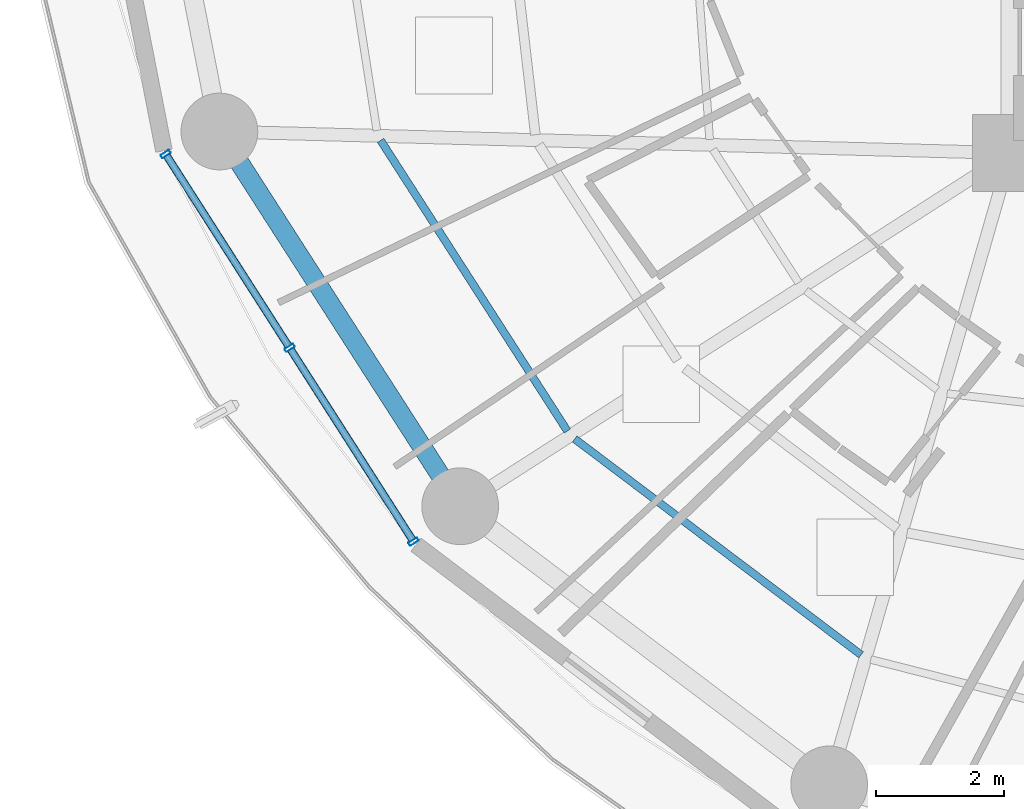
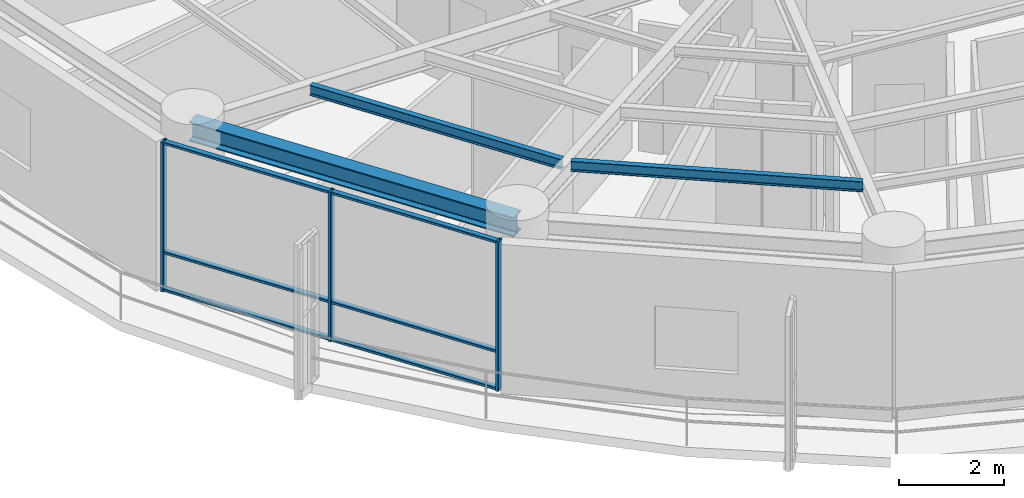
# One storey, part 2 of 27: 9 members, 3 beams, 1 element without a shape of its own.
"""IFC4 building model written with IfcOpenShell, lengths in metres."""

from ifc_helpers import new_model, si_unit, direction, frame, origin, origin_2d, place, context, subcontext, project, spatial, hollow_rectangle, i_section, extrude, material, layer, layer_set, material_profile, profile_set, type_object, element, aggregate, save


model = new_model("IFC4")

# Units and contexts
model_context = context("Model", 3, precision=1e-05, world=origin(), true_north=direction((0.0, 1.0)))
body_context = subcontext(model_context, "Body", "Model", "MODEL_VIEW")
ifc_project = project(units=[si_unit("LENGTHUNIT", "METRE"), si_unit("AREAUNIT", "SQUARE_METRE"), si_unit("VOLUMEUNIT", "CUBIC_METRE"), si_unit("PLANEANGLEUNIT", "RADIAN"), si_unit("MASSUNIT", "GRAM", prefix="KILO")], contexts=[model_context])

# Site, building, storey
site_placement = place(None, origin())
site = spatial("IfcSite", under=ifc_project, at=site_placement, CompositionType="ELEMENT")
building_placement = place(site_placement, origin())
building = spatial("IfcBuilding", under=site, at=building_placement, Name="Kelanora Arch Commons", CompositionType="ELEMENT")
storey_placement = place(building_placement, frame((0.0, 0.0, 165.60009765625)))
storey = spatial("IfcBuildingStorey", under=building, at=storey_placement, Name="L42", CompositionType="ELEMENT", Elevation=165.60009765625)

# Beams
ifc_material_1 = material(Name="Steel S355", Category="steel")
ifc_material_profile_1 = material_profile(ifc_material_1, i_section(OverallWidth=0.1201171875, OverallDepth=0.239990234375, WebThickness=0.006103515625, FlangeThickness=0.009765625, FilletRadius=0.014892578125, at=origin_2d()), Name="IPE240")
ifc_profile_set_1 = profile_set([ifc_material_profile_1], Name="Steel S355")
beam_type_1 = type_object("IfcBeamType", Name="BM-JST-02", PredefinedType="JOIST", material=ifc_profile_set_1)
beam_1_placement = place(storey_placement, frame((56.14794921875, 51.198486328125, 3.369873046875), z_axis=(0.540581678156, -0.841291536414, 0.0), x_axis=(0.841291536414, 0.540581678156, 0.0)))
element("IfcBeam", 1, at=beam_1_placement, inside=storey, type_object=beam_type_1, Name="Secondary Chord Joist BJC-20 L42", PredefinedType="JOIST", context=body_context, shape_type="SweptSolid", body=[
    extrude(i_section(OverallWidth=0.1201171875, OverallDepth=0.239990234375, WebThickness=0.006103515625, FlangeThickness=0.009765625, FilletRadius=0.014892578125, at=origin_2d()), origin(), (0.0, 0.0, 1.0), 5.4013671875),
])
beam_2_placement = place(storey_placement, frame((59.181640625, 46.531494140625, 3.369873046875), z_axis=(0.798493128577, -0.602003923256, 0.0), x_axis=(0.602003923256, 0.798493128577, 0.0)))
element("IfcBeam", 2, at=beam_2_placement, inside=storey, type_object=beam_type_1, Name="Secondary Chord Joist BJC-22 L42", PredefinedType="JOIST", context=body_context, shape_type="SweptSolid", body=[
    extrude(i_section(OverallWidth=0.1201171875, OverallDepth=0.239990234375, WebThickness=0.006103515625, FlangeThickness=0.009765625, FilletRadius=0.014892578125, at=origin_2d()), origin(), (0.0, 0.0, 1.0), 5.608642578125),
])
ifc_material_profile_2 = material_profile(ifc_material_1, i_section(OverallWidth=0.300048828125, OverallDepth=0.449951171875, WebThickness=0.013916015625, FlangeThickness=0.02587890625, FilletRadius=0.027099609375, at=origin_2d()), Name="HEB450")
ifc_profile_set_2 = profile_set([ifc_material_profile_2], Name="Steel S355")
beam_type_2 = type_object("IfcBeamType", Name="BM-SPN-Z3", PredefinedType="SPANDREL", material=ifc_profile_set_2)
beam_3_placement = place(storey_placement, frame((53.62744140625, 51.33740234375, 3.264892578125), z_axis=(0.540576852469, -0.841294637196, 0.0), x_axis=(0.841294637196, 0.540576852469, 0.0)))
element("IfcBeam", 3, at=beam_3_placement, inside=storey, type_object=beam_type_2, Name="Perimeter Spandrel Beam BS-20 L42", PredefinedType="SPANDREL", context=body_context, shape_type="SweptSolid", body=[
    extrude(i_section(OverallWidth=0.300048828125, OverallDepth=0.449951171875, WebThickness=0.013916015625, FlangeThickness=0.02587890625, FilletRadius=0.027099609375, at=origin_2d()), origin(), (0.0, 0.0, 1.0), 6.964111328125),
])

# Curtain wall, members
ifc_material_2 = material(Name="Terracotta ceramic-fritted low-E glass and aluminium", Category="masonry")
ifc_layer = layer(ifc_material_2, 0.175048828125)
ifc_layer_set = layer_set([ifc_layer], Name="Terracotta ceramic-fritted low-E glass and aluminium")
curtain_wall_type = type_object("IfcCurtainWallType", Name="CW-SYS-02", PredefinedType="NOTDEFINED", material=ifc_layer_set)
curtain_wall_placement = place(storey_placement, origin())
curtain_wall = element("IfcCurtainWall", 4, at=curtain_wall_placement, inside=storey, type_object=curtain_wall_type, Name="Unitised Curtain Wall L42-B10", PredefinedType="NOTDEFINED")
ifc_material_3 = material(Name="Powder-coated aluminium terracotta", Category="masonry")
ifc_material_profile_3 = material_profile(ifc_material_3, hollow_rectangle(XDim=0.159912109375, YDim=0.06005859375, WallThickness=0.0048828125, InnerFilletRadius=0.0048828125, OuterFilletRadius=0.010009765625, at=origin_2d()), Name="CWM160x60")
ifc_profile_set_3 = profile_set([ifc_material_profile_3], Name="Powder-coated aluminium terracotta")
member_type_1 = type_object("IfcMemberType", Name="CWM-STD", PredefinedType="MULLION", material=ifc_profile_set_3)
member_1_placement = place(storey_placement, frame((52.787109375, 50.98486328125, 0.0), z_axis=(0.0, 0.0, 1.0), x_axis=(0.842422846546, 0.538816988983, 0.0)))
member_1 = element("IfcMember", 5, at=member_1_placement, type_object=member_type_1, Name="CW-02 mullion 1", PredefinedType="MULLION", context=body_context, shape_type="SweptSolid", body=[
    extrude(hollow_rectangle(XDim=0.159912109375, YDim=0.06005859375, WallThickness=0.0048828125, InnerFilletRadius=0.0048828125, OuterFilletRadius=0.010009765625, at=origin_2d()), origin(), (0.0, 0.0, 1.0), 3.474853515625),
])
member_2_placement = place(storey_placement, frame((54.72509765625, 47.954833984375, 0.0), z_axis=(0.0, 0.0, 1.0), x_axis=(0.842422846546, 0.538816988983, 0.0)))
member_2 = element("IfcMember", 6, at=member_2_placement, type_object=member_type_1, Name="CW-02 mullion 2", PredefinedType="MULLION", context=body_context, shape_type="SweptSolid", body=[
    extrude(hollow_rectangle(XDim=0.159912109375, YDim=0.06005859375, WallThickness=0.0048828125, InnerFilletRadius=0.0048828125, OuterFilletRadius=0.010009765625, at=origin_2d()), origin(), (0.0, 0.0, 1.0), 3.474853515625),
])
member_3_placement = place(storey_placement, frame((56.6630859375, 44.925048828125, 0.0), z_axis=(0.0, 0.0, 1.0), x_axis=(0.842422846546, 0.538816988983, 0.0)))
member_3 = element("IfcMember", 7, at=member_3_placement, type_object=member_type_1, Name="CW-02 mullion 3", PredefinedType="MULLION", context=body_context, shape_type="SweptSolid", body=[
    extrude(hollow_rectangle(XDim=0.159912109375, YDim=0.06005859375, WallThickness=0.0048828125, InnerFilletRadius=0.0048828125, OuterFilletRadius=0.010009765625, at=origin_2d()), origin(), (0.0, 0.0, 1.0), 3.474853515625),
])
ifc_material_profile_4 = material_profile(ifc_material_3, hollow_rectangle(XDim=0.1201171875, YDim=0.06005859375, WallThickness=0.0048828125, InnerFilletRadius=0.0048828125, OuterFilletRadius=0.010009765625, at=origin_2d()), Name="CWT120x60")
ifc_profile_set_4 = profile_set([ifc_material_profile_4], Name="Powder-coated aluminium terracotta")
member_type_2 = type_object("IfcMemberType", Name="CWT-STD", PredefinedType="USERDEFINED", material=ifc_profile_set_4)
member_4_placement = place(storey_placement, frame((52.80322265625, 50.959716796875, 0.02978515625), z_axis=(0.53883037555, -0.842414284295, 0.0), x_axis=(0.842414284295, 0.53883037555, 0.0)))
member_4 = element("IfcMember", 8, at=member_4_placement, type_object=member_type_2, Name="CW-02 transom 1.1", ObjectType="TRANSOM", PredefinedType="USERDEFINED", context=body_context, shape_type="SweptSolid", body=[
    extrude(hollow_rectangle(XDim=0.1201171875, YDim=0.06005859375, WallThickness=0.0048828125, InnerFilletRadius=0.0048828125, OuterFilletRadius=0.010009765625, at=origin_2d()), origin(), (0.0, 0.0, 1.0), 3.536865234375),
])
member_5_placement = place(storey_placement, frame((52.80322265625, 50.959716796875, 0.89990234375), z_axis=(0.53883037555, -0.842414284295, 0.0), x_axis=(0.842414284295, 0.53883037555, 0.0)))
member_5 = element("IfcMember", 9, at=member_5_placement, type_object=member_type_2, Name="CW-02 transom 1.2", ObjectType="TRANSOM", PredefinedType="USERDEFINED", context=body_context, shape_type="SweptSolid", body=[
    extrude(hollow_rectangle(XDim=0.1201171875, YDim=0.06005859375, WallThickness=0.0048828125, InnerFilletRadius=0.0048828125, OuterFilletRadius=0.010009765625, at=origin_2d()), origin(), (0.0, 0.0, 1.0), 3.536865234375),
])
member_6_placement = place(storey_placement, frame((52.80322265625, 50.959716796875, 3.44482421875), z_axis=(0.53883037555, -0.842414284295, 0.0), x_axis=(0.842414284295, 0.53883037555, 0.0)))
member_6 = element("IfcMember", 10, at=member_6_placement, type_object=member_type_2, Name="CW-02 transom 1.3", ObjectType="TRANSOM", PredefinedType="USERDEFINED", context=body_context, shape_type="SweptSolid", body=[
    extrude(hollow_rectangle(XDim=0.1201171875, YDim=0.06005859375, WallThickness=0.0048828125, InnerFilletRadius=0.0048828125, OuterFilletRadius=0.010009765625, at=origin_2d()), origin(), (0.0, 0.0, 1.0), 3.536865234375),
])
member_7_placement = place(storey_placement, frame((54.7412109375, 47.9296875, 0.02978515625), z_axis=(0.53883037555, -0.842414284295, 0.0), x_axis=(0.842414284295, 0.53883037555, 0.0)))
member_7 = element("IfcMember", 11, at=member_7_placement, type_object=member_type_2, Name="CW-02 transom 2.1", ObjectType="TRANSOM", PredefinedType="USERDEFINED", context=body_context, shape_type="SweptSolid", body=[
    extrude(hollow_rectangle(XDim=0.1201171875, YDim=0.06005859375, WallThickness=0.0048828125, InnerFilletRadius=0.0048828125, OuterFilletRadius=0.010009765625, at=origin_2d()), origin(), (0.0, 0.0, 1.0), 3.536865234375),
])
member_8_placement = place(storey_placement, frame((54.7412109375, 47.9296875, 0.89990234375), z_axis=(0.53883037555, -0.842414284295, 0.0), x_axis=(0.842414284295, 0.53883037555, 0.0)))
member_8 = element("IfcMember", 12, at=member_8_placement, type_object=member_type_2, Name="CW-02 transom 2.2", ObjectType="TRANSOM", PredefinedType="USERDEFINED", context=body_context, shape_type="SweptSolid", body=[
    extrude(hollow_rectangle(XDim=0.1201171875, YDim=0.06005859375, WallThickness=0.0048828125, InnerFilletRadius=0.0048828125, OuterFilletRadius=0.010009765625, at=origin_2d()), origin(), (0.0, 0.0, 1.0), 3.536865234375),
])
member_9_placement = place(storey_placement, frame((54.7412109375, 47.9296875, 3.44482421875), z_axis=(0.53883037555, -0.842414284295, 0.0), x_axis=(0.842414284295, 0.53883037555, 0.0)))
member_9 = element("IfcMember", 13, at=member_9_placement, type_object=member_type_2, Name="CW-02 transom 2.3", ObjectType="TRANSOM", PredefinedType="USERDEFINED", context=body_context, shape_type="SweptSolid", body=[
    extrude(hollow_rectangle(XDim=0.1201171875, YDim=0.06005859375, WallThickness=0.0048828125, InnerFilletRadius=0.0048828125, OuterFilletRadius=0.010009765625, at=origin_2d()), origin(), (0.0, 0.0, 1.0), 3.536865234375),
])
aggregate(curtain_wall, [member_1, member_2, member_3, member_4, member_5, member_6, member_7, member_8, member_9])

save(model, "model.ifc")
